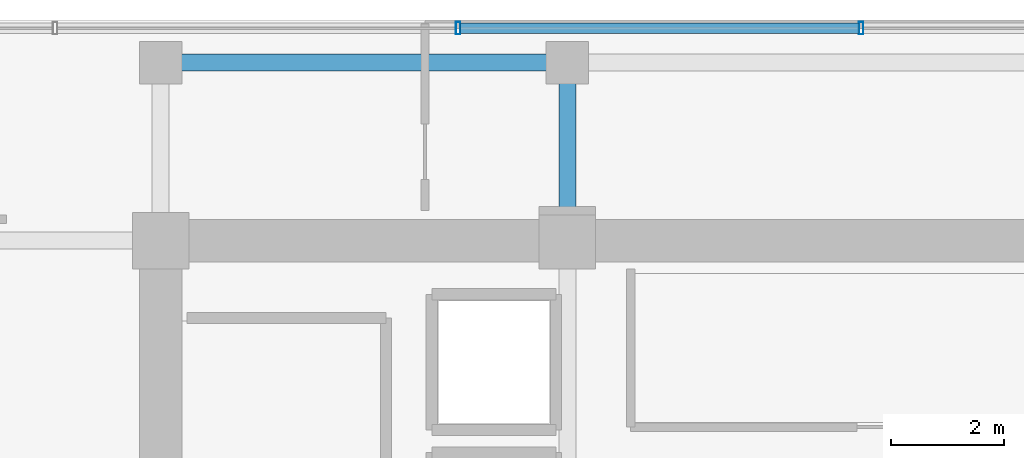
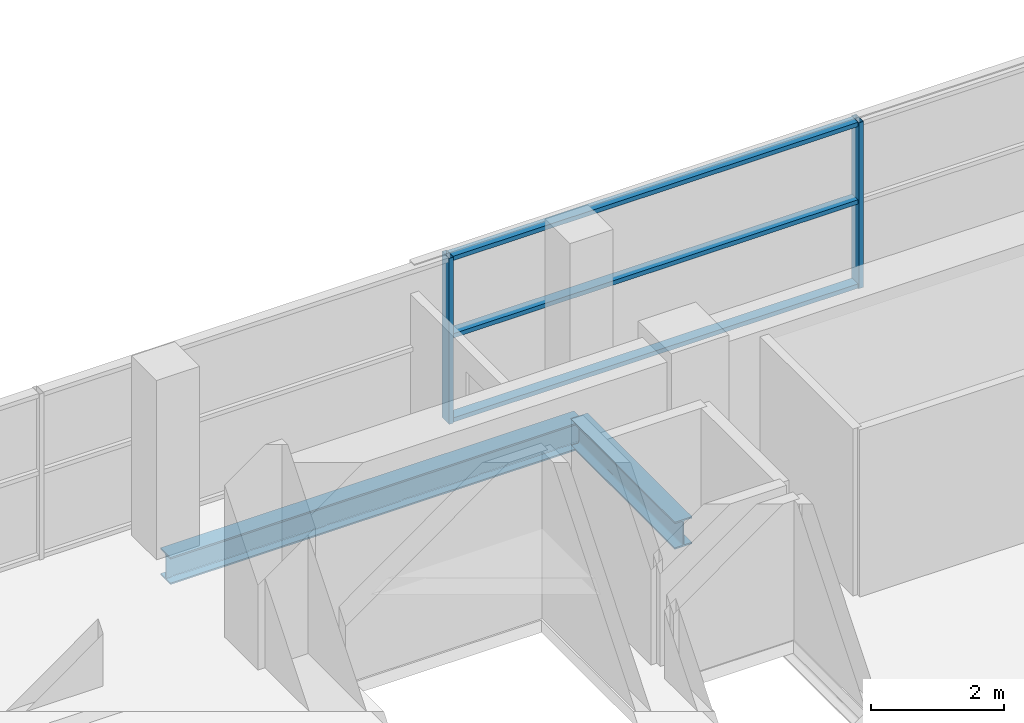
# One storey, part 14 of 25: 5 members, 2 beams, 1 element without a shape of its own.
"""IFC4 building model written with IfcOpenShell, lengths in metres."""

import ifcopenshell
import ifcopenshell.guid

model = None  # the IFC model being written
_history = None  # IfcOwnerHistory: only IFC2X3 demands one
_inside = {}  # id of a spatial element -> (the spatial element, [elements in it])
_under = {}  # id of a project, library or spatial element -> (it, [spatial elements below it])
_declared = {}  # id of a project -> (the project, [libraries it declares])
_typed = {}  # id of a type object -> (the type object, [elements of that type])
_made_of = {}  # id of a material, layer set ... -> (it, [elements and type objects made of it])


def new_model(schema):
    """Start an empty IFC model of exactly this schema.

    Asked for "IFC4X3", IfcOpenShell would pick the latest addendum, in which some entities
    have other attributes; the version numbers below select the first issue.
    IFC2X3 requires an IfcOwnerHistory on every rooted entity: one is made here for all.
    """
    global model, _history
    if schema == "IFC4X3":
        model = ifcopenshell.file(schema_version=(4, 3, 0, 0))
    else:
        model = ifcopenshell.file(schema=schema)
    _inside.clear()
    _under.clear()
    _declared.clear()
    _typed.clear()
    _made_of.clear()
    _history = None
    if model.schema == "IFC2X3":
        org = make("IfcOrganization", Name="unknown")
        user = make(
            "IfcPersonAndOrganization",
            ThePerson=make("IfcPerson", FamilyName="unknown"),
            TheOrganization=org,
        )
        app = make(
            "IfcApplication",
            ApplicationDeveloper=org,
            Version="unknown",
            ApplicationFullName="unknown",
            ApplicationIdentifier="unknown",
        )
        _history = make(
            "IfcOwnerHistory",
            OwningUser=user,
            OwningApplication=app,
            ChangeAction="ADDED",
            CreationDate=0,
        )
    return model


def make(cls, **values):
    """One entity of the class cls with the attributes given. An attribute that is None is left unset."""
    return model.create_entity(
        cls, **{name: value for name, value in values.items() if value is not None}
    )


def rooted(cls, **values):
    """An entity with a GlobalId (a new one), such as an element, a storey or a relation."""
    return make(cls, GlobalId=ifcopenshell.guid.new(), OwnerHistory=_history, **values)


def si_unit(unit_type, name, prefix=None):
    """IfcSIUnit, for example si_unit("LENGTHUNIT", "METRE", prefix="MILLI")."""
    return make("IfcSIUnit", UnitType=unit_type, Prefix=prefix, Name=name)


def assignment(units):
    """IfcUnitAssignment: the units of a project."""
    return None if units is None else make("IfcUnitAssignment", Units=units)


def point(xyz):
    """IfcCartesianPoint."""
    return None if xyz is None else make("IfcCartesianPoint", Coordinates=xyz)


def direction(xyz):
    """IfcDirection."""
    return None if xyz is None else make("IfcDirection", DirectionRatios=xyz)


def frame(location, z_axis=None, x_axis=None):
    """IfcAxis2Placement3D, a coordinate frame: its origin and axes. An axis left out is left unset."""
    return make(
        "IfcAxis2Placement3D",
        Location=point(location),
        Axis=direction(z_axis),
        RefDirection=direction(x_axis),
    )


def frame_2d(location, x_axis=None):
    """IfcAxis2Placement2D, a coordinate frame in the plane: its origin and x axis."""
    return make(
        "IfcAxis2Placement2D", Location=point(location), RefDirection=direction(x_axis)
    )


def origin():
    """The frame at (0, 0, 0) with its axes left unset."""
    return frame((0.0, 0.0, 0.0))


def origin_2d():
    """The frame at (0, 0) in the plane with its x axis left unset."""
    return frame_2d((0.0, 0.0))


def place(relative_to, where):
    """IfcLocalPlacement: puts the frame where relative to a parent placement (None: the world)."""
    return make(
        "IfcLocalPlacement", PlacementRelTo=relative_to, RelativePlacement=where
    )


def context(
    kind, dimensions, precision=None, world=None, true_north=None, identifier=None
):
    """IfcGeometricRepresentationContext, for example the 3D "Model" context."""
    return make(
        "IfcGeometricRepresentationContext",
        ContextIdentifier=identifier,
        ContextType=kind,
        CoordinateSpaceDimension=dimensions,
        Precision=precision,
        WorldCoordinateSystem=world,
        TrueNorth=true_north,
    )


def subcontext(parent, identifier, kind, view, scale=None):
    """IfcGeometricRepresentationSubContext, for example "Body" below "Model"."""
    return make(
        "IfcGeometricRepresentationSubContext",
        ContextIdentifier=identifier,
        ContextType=kind,
        ParentContext=parent,
        TargetScale=scale,
        TargetView=view,
    )


def project(units=None, contexts=None):
    """IfcProject with its units and contexts."""
    return rooted(
        "IfcProject",
        Name="project",
        RepresentationContexts=contexts,
        UnitsInContext=assignment(units),
    )


def spatial(cls, under=None, at=None, **own):
    """A site, building, storey or space (cls), placed at a placement, below another one or the project."""
    s = rooted(cls, ObjectPlacement=at, **own)
    if under is not None:
        _under.setdefault(under.id(), (under, []))[1].append(s)
    return s


def profile(cls, at=None, kind="AREA", **sizes):
    """A parametric profile (cls). Its sizes go by their IFC names, for example OverallWidth=200.0."""
    return make(cls, ProfileType=kind, Position=at, **sizes)


def hollow_rectangle(**sizes):
    """IfcRectangleHollowProfileDef."""
    return profile("IfcRectangleHollowProfileDef", **sizes)


def i_section(**sizes):
    """IfcIShapeProfileDef."""
    return profile("IfcIShapeProfileDef", **sizes)


def extrude(swept, where, along, depth):
    """IfcExtrudedAreaSolid: the profile swept, set in the frame where, extruded along a direction by depth."""
    return make(
        "IfcExtrudedAreaSolid",
        SweptArea=swept,
        Position=where,
        ExtrudedDirection=direction(along),
        Depth=depth,
    )


def shape(context_of_items, identifier, shape_type, items):
    """IfcShapeRepresentation: the items that make up one representation, for example the "Body"."""
    return make(
        "IfcShapeRepresentation",
        ContextOfItems=context_of_items,
        RepresentationIdentifier=identifier,
        RepresentationType=shape_type,
        Items=items,
    )


def source(mapping_origin, context_of_items, identifier, shape_type, items):
    """IfcRepresentationMap: a shape defined once, which mapped items show again and again."""
    return make(
        "IfcRepresentationMap",
        MappingOrigin=mapping_origin,
        MappedRepresentation=shape(context_of_items, identifier, shape_type, items),
    )


def transform(
    local_origin,
    x_axis=None,
    y_axis=None,
    z_axis=None,
    scale=None,
    scale2=None,
    scale3=None,
    uniform=True,
):
    """IfcCartesianTransformationOperator3D, or its non-uniform kind. x_axis, y_axis, z_axis: its Axis1, 2, 3."""
    if uniform:
        return make(
            "IfcCartesianTransformationOperator3D",
            Axis1=direction(x_axis),
            Axis2=direction(y_axis),
            LocalOrigin=point(local_origin),
            Scale=scale,
            Axis3=direction(z_axis),
        )
    return make(
        "IfcCartesianTransformationOperator3DnonUniform",
        Axis1=direction(x_axis),
        Axis2=direction(y_axis),
        LocalOrigin=point(local_origin),
        Scale=scale,
        Axis3=direction(z_axis),
        Scale2=scale2,
        Scale3=scale3,
    )


def mapped(mapping_source, mapping_target):
    """IfcMappedItem: shows the shape of a source again, moved by a transform."""
    return make(
        "IfcMappedItem", MappingSource=mapping_source, MappingTarget=mapping_target
    )


def material(Name=None, Category=None):
    """IfcMaterial."""
    return make("IfcMaterial", Name=Name, Category=Category)


def layer(
    of_material, thickness, ventilated=None, Name=None, Category=None, Priority=None
):
    """IfcMaterialLayer: one layer of a wall or slab, of a material (None: an air gap)."""
    return make(
        "IfcMaterialLayer",
        Material=of_material,
        LayerThickness=thickness,
        IsVentilated=ventilated,
        Name=Name,
        Category=Category,
        Priority=Priority,
    )


def layer_set(layers, Name=None):
    """IfcMaterialLayerSet."""
    return make("IfcMaterialLayerSet", MaterialLayers=layers, LayerSetName=Name)


def material_profile(
    of_material, cross_section, Name=None, Category=None, Priority=None
):
    """IfcMaterialProfile: a cross section and its material."""
    return make(
        "IfcMaterialProfile",
        Name=Name,
        Material=of_material,
        Profile=cross_section,
        Priority=Priority,
        Category=Category,
    )


def profile_set(profiles, Name=None, composite=None):
    """IfcMaterialProfileSet."""
    return make(
        "IfcMaterialProfileSet",
        Name=Name,
        MaterialProfiles=profiles,
        CompositeProfile=composite,
    )


def made_of(thing, what):
    """Note that an element or type object is made of a material, layer set ...; save() writes the relation."""
    if what is not None:
        _made_of.setdefault(what.id(), (what, []))[1].append(thing)
    return thing


def type_object(cls, material=None, **own):
    """A type object (cls), such as IfcWallType, which elements share."""
    return made_of(rooted(cls, **own), material)


def element(
    cls,
    number,
    at=None,
    inside=None,
    cuts=None,
    type_object=None,
    material=None,
    context=None,
    identifier="Body",
    shape_type=None,
    held_by="IfcProductDefinitionShape",
    body=None,
    shapes=None,
    **own,
):
    """One element of the class cls, such as IfcWall. Its Tag is "e" and its number.

    at: its placement. inside: the storey or other place that contains it. cuts: it is an
    opening in that element (IfcRelVoidsElement). A single representation is given by context,
    identifier, shape_type and body (its items); several are given by shapes. held_by: the class
    of the entity that holds the representations. save() writes the other relations.
    """
    e = rooted(cls, Tag="e%d" % number, ObjectPlacement=at, **own)
    if body is not None:
        shapes = [shape(context, identifier, shape_type, body)]
    if shapes is not None:
        e.Representation = make(held_by, Representations=shapes)
    if inside is not None:
        _inside.setdefault(inside.id(), (inside, []))[1].append(e)
    if cuts is not None:
        rooted(
            "IfcRelVoidsElement", RelatingBuildingElement=cuts, RelatedOpeningElement=e
        )
    if type_object is not None:
        _typed.setdefault(type_object.id(), (type_object, []))[1].append(e)
    return made_of(e, material)


def aggregate(whole, parts):
    """IfcRelAggregates: a whole, such as a stair, and the parts it consists of."""
    return rooted("IfcRelAggregates", RelatingObject=whole, RelatedObjects=parts)


def save(model, path):
    """Write the relations noted so far, then the file.

    IfcRelAggregates (storeys below a building ...), IfcRelContainedInSpatialStructure (elements
    in a storey), IfcRelDefinesByType, IfcRelAssociatesMaterial and IfcRelDeclares: one each for
    every whole, place, type object, material and project.
    """
    for whole, parts in _under.values():
        aggregate(whole, parts)
    for where, things in _inside.values():
        rooted(
            "IfcRelContainedInSpatialStructure",
            RelatedElements=things,
            RelatingStructure=where,
        )
    for kind, things in _typed.values():
        rooted("IfcRelDefinesByType", RelatedObjects=things, RelatingType=kind)
    for what, things in _made_of.values():
        rooted("IfcRelAssociatesMaterial", RelatedObjects=things, RelatingMaterial=what)
    for by, libraries in _declared.values():
        rooted("IfcRelDeclares", RelatingContext=by, RelatedDefinitions=libraries)
    model.write(path)


model = new_model("IFC4")

# Units and contexts
model_context = context("Model", 3, precision=1e-05, world=origin(), true_north=direction((0.0, 1.0)))
body_context = subcontext(model_context, "Body", "Model", "MODEL_VIEW")
ifc_project = project(units=[si_unit("LENGTHUNIT", "METRE"), si_unit("AREAUNIT", "SQUARE_METRE"), si_unit("VOLUMEUNIT", "CUBIC_METRE"), si_unit("PLANEANGLEUNIT", "RADIAN"), si_unit("MASSUNIT", "GRAM", prefix="KILO")], contexts=[model_context])

# Site, building, storey
site_placement = place(None, origin())
site = spatial("IfcSite", under=ifc_project, at=site_placement, CompositionType="ELEMENT")
building_placement = place(site_placement, origin())
building = spatial("IfcBuilding", under=site, at=building_placement, Name="Zarnakvel Exchange Tower", CompositionType="ELEMENT")
storey_placement = place(building_placement, frame((0.0, 0.0, 169.300048828125)))
storey = spatial("IfcBuildingStorey", under=building, at=storey_placement, Name="L47", CompositionType="ELEMENT", Elevation=169.300048828125)

# Beams
ifc_material_1 = material(Name="Steel S355", Category="steel")
ifc_material_profile_1 = material_profile(ifc_material_1, i_section(OverallWidth=0.300048828125, OverallDepth=0.5, WebThickness=0.014404296875, FlangeThickness=0.028076171875, FilletRadius=0.027099609375, at=origin_2d()))
ifc_profile_set_1 = profile_set([ifc_material_profile_1], Name="Steel S355")
beam_type_1 = type_object("IfcBeamType", Name="G-06", PredefinedType="BEAM", material=ifc_profile_set_1)
beam_1_placement = place(storey_placement, frame((-7.199951171875, 13.5, -0.47509765625), z_axis=(0.0, 1.0, 0.0), x_axis=(-1.0, 0.0, 0.0)))
element("IfcBeam", 1, at=beam_1_placement, inside=storey, type_object=beam_type_1, Name="L47 Tower N-S Frame Beam", PredefinedType="BEAM", context=body_context, shape_type="SweptSolid", body=[
    extrude(i_section(OverallWidth=0.300048828125, OverallDepth=0.5, WebThickness=0.014404296875, FlangeThickness=0.028076171875, FilletRadius=0.027099609375, at=origin_2d()), origin(), (0.0, 0.0, 1.0), 3.14990234375),
])
ifc_material_profile_2 = material_profile(ifc_material_1, i_section(OverallWidth=0.300048828125, OverallDepth=0.5, WebThickness=0.014404296875, FlangeThickness=0.028076171875, FilletRadius=0.027099609375, at=origin_2d()))
ifc_profile_set_2 = profile_set([ifc_material_profile_2], Name="Steel S355")
beam_type_2 = type_object("IfcBeamType", Name="SP-02", PredefinedType="SPANDREL", material=ifc_profile_set_2)
beam_2_placement = place(storey_placement, frame((-14.39990234375, 16.64990234375, -0.47509765625), z_axis=(1.0, 0.0, 0.0), x_axis=(0.0, 1.0, 0.0)))
element("IfcBeam", 2, at=beam_2_placement, inside=storey, type_object=beam_type_2, Name="L47 Tower E-W Frame Beam", PredefinedType="SPANDREL", context=body_context, shape_type="SweptSolid", body=[
    extrude(i_section(OverallWidth=0.300048828125, OverallDepth=0.5, WebThickness=0.014404296875, FlangeThickness=0.028076171875, FilletRadius=0.027099609375, at=origin_2d()), origin(), (0.0, 0.0, 1.0), 7.199951171875),
])

# Curtain wall, members
ifc_material_2 = material(Name="Architectural Bronze Anodised Aluminium", Category="aluminium")
ifc_layer = layer(ifc_material_2, 0.219970703125)
ifc_layer_set = layer_set([ifc_layer], Name="Architectural Bronze Anodised Aluminium")
curtain_wall_type = type_object("IfcCurtainWallType", Name="CW-03", PredefinedType="NOTDEFINED", material=ifc_layer_set)
curtain_wall_placement = place(storey_placement, origin())
curtain_wall = element("IfcCurtainWall", 3, at=curtain_wall_placement, inside=storey, type_object=curtain_wall_type, Name="L47 Curtain Wall CW-L47-N1 (CW-03)", PredefinedType="NOTDEFINED")
ifc_material_profile_3 = material_profile(ifc_material_2, hollow_rectangle(XDim=0.219970703125, YDim=0.080078125, WallThickness=0.0048828125, at=origin_2d()))
ifc_profile_set_3 = profile_set([ifc_material_profile_3], Name="Architectural Bronze Anodised Aluminium")
member_type_1 = type_object("IfcMemberType", Name="CWM-03", PredefinedType="MULLION", material=ifc_profile_set_3)
shared_shape_1 = source(origin(), body_context, "Body", "SweptSolid", [
    extrude(hollow_rectangle(XDim=0.219970703125, YDim=0.080078125, WallThickness=0.0048828125, at=origin_2d()), origin(), (0.0, 0.0, 1.0), 3.054931640625),
])
member_1_placement = place(storey_placement, frame((-9.13330078125, 17.260009765625, 0.0), z_axis=(0.0, 0.0, 1.0), x_axis=(0.0, 1.0, 0.0)))
member_1 = element("IfcMember", 4, at=member_1_placement, type_object=member_type_1, Name="CW-03 mullion 3", PredefinedType="MULLION", context=body_context, shape_type="MappedRepresentation", body=[
    mapped(shared_shape_1, transform((0.0, 0.0, 0.0), x_axis=(1.0, 0.0, 0.0), y_axis=(0.0, 1.0, 0.0), z_axis=(0.0, 0.0, 1.0), scale=1.0)),
])
member_2_placement = place(storey_placement, frame((-2.0, 17.260009765625, 0.0), z_axis=(0.0, 0.0, 1.0), x_axis=(0.0, 1.0, 0.0)))
member_2 = element("IfcMember", 5, at=member_2_placement, type_object=member_type_1, Name="CW-03 mullion 4", PredefinedType="MULLION", context=body_context, shape_type="MappedRepresentation", body=[
    mapped(shared_shape_1, transform((0.0, 0.0, 0.0), x_axis=(1.0, 0.0, 0.0), y_axis=(0.0, 1.0, 0.0), z_axis=(0.0, 0.0, 1.0), scale=1.0)),
])
ifc_material_profile_4 = material_profile(ifc_material_2, hollow_rectangle(XDim=0.179931640625, YDim=0.080078125, WallThickness=0.00390625, at=origin_2d()))
ifc_profile_set_4 = profile_set([ifc_material_profile_4], Name="Architectural Bronze Anodised Aluminium")
member_type_2 = type_object("IfcMemberType", Name="CWT-03", PredefinedType="USERDEFINED", material=ifc_profile_set_4)
shared_shape_2 = source(origin(), body_context, "Body", "SweptSolid", [
    extrude(hollow_rectangle(XDim=0.179931640625, YDim=0.080078125, WallThickness=0.00390625, at=origin_2d()), origin(), (0.0, 0.0, 1.0), 7.05322265625),
])
member_3_placement = place(storey_placement, frame((-9.09326171875, 17.260009765625, 0.0400390625), z_axis=(1.0, 0.0, 0.0), x_axis=(0.0, 1.0, 0.0)))
member_3 = element("IfcMember", 6, at=member_3_placement, type_object=member_type_2, Name="CW-03 transom 3.1", ObjectType="TRANSOM", PredefinedType="USERDEFINED", context=body_context, shape_type="MappedRepresentation", body=[
    mapped(shared_shape_2, transform((0.0, 0.0, 0.0), x_axis=(1.0, 0.0, 0.0), y_axis=(0.0, 1.0, 0.0), z_axis=(0.0, 0.0, 1.0), scale=1.0)),
])
member_4_placement = place(storey_placement, frame((-9.09326171875, 17.260009765625, 1.588623046875), z_axis=(1.0, 0.0, 0.0), x_axis=(0.0, 1.0, 0.0)))
member_4 = element("IfcMember", 7, at=member_4_placement, type_object=member_type_2, Name="CW-03 transom 3.2", ObjectType="TRANSOM", PredefinedType="USERDEFINED", context=body_context, shape_type="MappedRepresentation", body=[
    mapped(shared_shape_2, transform((0.0, 0.0, 0.0), x_axis=(1.0, 0.0, 0.0), y_axis=(0.0, 1.0, 0.0), z_axis=(0.0, 0.0, 1.0), scale=1.0)),
])
member_5_placement = place(storey_placement, frame((-9.09326171875, 17.260009765625, 3.014892578125), z_axis=(1.0, 0.0, 0.0), x_axis=(0.0, 1.0, 0.0)))
member_5 = element("IfcMember", 8, at=member_5_placement, type_object=member_type_2, Name="CW-03 transom 3.3", ObjectType="TRANSOM", PredefinedType="USERDEFINED", context=body_context, shape_type="MappedRepresentation", body=[
    mapped(shared_shape_2, transform((0.0, 0.0, 0.0), x_axis=(1.0, 0.0, 0.0), y_axis=(0.0, 1.0, 0.0), z_axis=(0.0, 0.0, 1.0), scale=1.0)),
])
aggregate(curtain_wall, [member_1, member_2, member_3, member_4, member_5])

save(model, "model.ifc")
